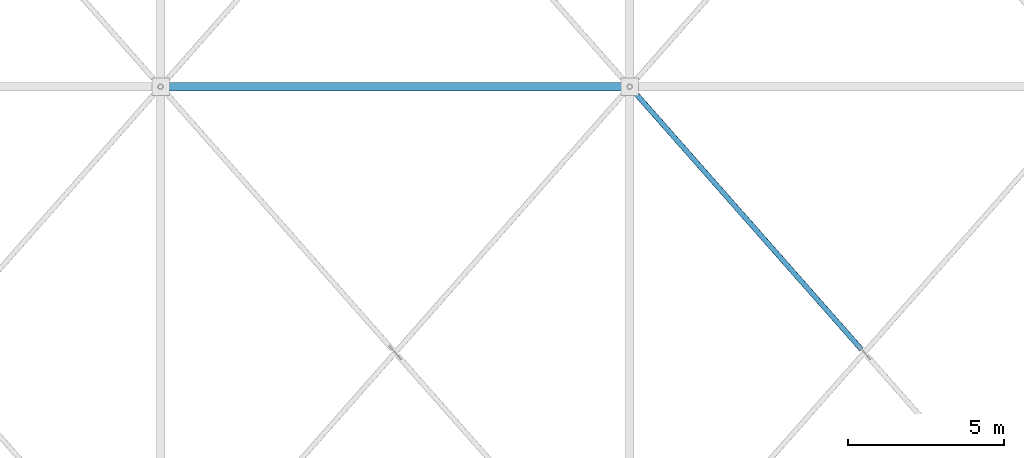
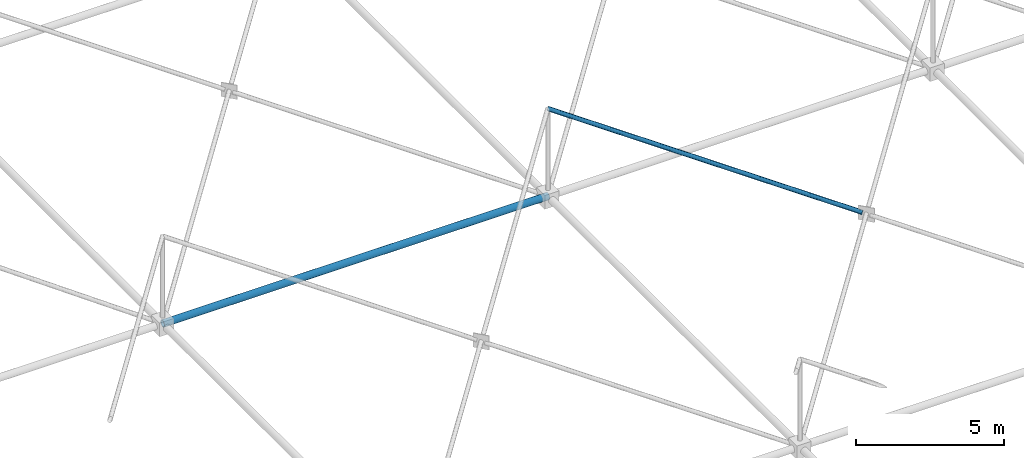
# One storey, part 77 of 224: 2 members.
"""IFC4 building model written with IfcOpenShell, lengths in metres."""

import ifcopenshell
import ifcopenshell.guid

model = None  # the IFC model being written
_history = None  # IfcOwnerHistory: only IFC2X3 demands one
_inside = {}  # id of a spatial element -> (the spatial element, [elements in it])
_under = {}  # id of a project, library or spatial element -> (it, [spatial elements below it])
_declared = {}  # id of a project -> (the project, [libraries it declares])
_typed = {}  # id of a type object -> (the type object, [elements of that type])
_made_of = {}  # id of a material, layer set ... -> (it, [elements and type objects made of it])


def new_model(schema):
    """Start an empty IFC model of exactly this schema.

    Asked for "IFC4X3", IfcOpenShell would pick the latest addendum, in which some entities
    have other attributes; the version numbers below select the first issue.
    IFC2X3 requires an IfcOwnerHistory on every rooted entity: one is made here for all.
    """
    global model, _history
    if schema == "IFC4X3":
        model = ifcopenshell.file(schema_version=(4, 3, 0, 0))
    else:
        model = ifcopenshell.file(schema=schema)
    _inside.clear()
    _under.clear()
    _declared.clear()
    _typed.clear()
    _made_of.clear()
    _history = None
    if model.schema == "IFC2X3":
        org = make("IfcOrganization", Name="unknown")
        user = make(
            "IfcPersonAndOrganization",
            ThePerson=make("IfcPerson", FamilyName="unknown"),
            TheOrganization=org,
        )
        app = make(
            "IfcApplication",
            ApplicationDeveloper=org,
            Version="unknown",
            ApplicationFullName="unknown",
            ApplicationIdentifier="unknown",
        )
        _history = make(
            "IfcOwnerHistory",
            OwningUser=user,
            OwningApplication=app,
            ChangeAction="ADDED",
            CreationDate=0,
        )
    return model


def make(cls, **values):
    """One entity of the class cls with the attributes given. An attribute that is None is left unset."""
    return model.create_entity(
        cls, **{name: value for name, value in values.items() if value is not None}
    )


def rooted(cls, **values):
    """An entity with a GlobalId (a new one), such as an element, a storey or a relation."""
    return make(cls, GlobalId=ifcopenshell.guid.new(), OwnerHistory=_history, **values)


def si_unit(unit_type, name, prefix=None):
    """IfcSIUnit, for example si_unit("LENGTHUNIT", "METRE", prefix="MILLI")."""
    return make("IfcSIUnit", UnitType=unit_type, Prefix=prefix, Name=name)


def assignment(units):
    """IfcUnitAssignment: the units of a project."""
    return None if units is None else make("IfcUnitAssignment", Units=units)


def point(xyz):
    """IfcCartesianPoint."""
    return None if xyz is None else make("IfcCartesianPoint", Coordinates=xyz)


def direction(xyz):
    """IfcDirection."""
    return None if xyz is None else make("IfcDirection", DirectionRatios=xyz)


def frame(location, z_axis=None, x_axis=None):
    """IfcAxis2Placement3D, a coordinate frame: its origin and axes. An axis left out is left unset."""
    return make(
        "IfcAxis2Placement3D",
        Location=point(location),
        Axis=direction(z_axis),
        RefDirection=direction(x_axis),
    )


def frame_2d(location, x_axis=None):
    """IfcAxis2Placement2D, a coordinate frame in the plane: its origin and x axis."""
    return make(
        "IfcAxis2Placement2D", Location=point(location), RefDirection=direction(x_axis)
    )


def origin():
    """The frame at (0, 0, 0) with its axes left unset."""
    return frame((0.0, 0.0, 0.0))


def origin_2d():
    """The frame at (0, 0) in the plane with its x axis left unset."""
    return frame_2d((0.0, 0.0))


def place(relative_to, where):
    """IfcLocalPlacement: puts the frame where relative to a parent placement (None: the world)."""
    return make(
        "IfcLocalPlacement", PlacementRelTo=relative_to, RelativePlacement=where
    )


def context(
    kind, dimensions, precision=None, world=None, true_north=None, identifier=None
):
    """IfcGeometricRepresentationContext, for example the 3D "Model" context."""
    return make(
        "IfcGeometricRepresentationContext",
        ContextIdentifier=identifier,
        ContextType=kind,
        CoordinateSpaceDimension=dimensions,
        Precision=precision,
        WorldCoordinateSystem=world,
        TrueNorth=true_north,
    )


def subcontext(parent, identifier, kind, view, scale=None):
    """IfcGeometricRepresentationSubContext, for example "Body" below "Model"."""
    return make(
        "IfcGeometricRepresentationSubContext",
        ContextIdentifier=identifier,
        ContextType=kind,
        ParentContext=parent,
        TargetScale=scale,
        TargetView=view,
    )


def project(units=None, contexts=None):
    """IfcProject with its units and contexts."""
    return rooted(
        "IfcProject",
        Name="project",
        RepresentationContexts=contexts,
        UnitsInContext=assignment(units),
    )


def spatial(cls, under=None, at=None, **own):
    """A site, building, storey or space (cls), placed at a placement, below another one or the project."""
    s = rooted(cls, ObjectPlacement=at, **own)
    if under is not None:
        _under.setdefault(under.id(), (under, []))[1].append(s)
    return s


def profile(cls, at=None, kind="AREA", **sizes):
    """A parametric profile (cls). Its sizes go by their IFC names, for example OverallWidth=200.0."""
    return make(cls, ProfileType=kind, Position=at, **sizes)


def hollow_circle(**sizes):
    """IfcCircleHollowProfileDef."""
    return profile("IfcCircleHollowProfileDef", **sizes)


def extrude(swept, where, along, depth):
    """IfcExtrudedAreaSolid: the profile swept, set in the frame where, extruded along a direction by depth."""
    return make(
        "IfcExtrudedAreaSolid",
        SweptArea=swept,
        Position=where,
        ExtrudedDirection=direction(along),
        Depth=depth,
    )


def shape(context_of_items, identifier, shape_type, items):
    """IfcShapeRepresentation: the items that make up one representation, for example the "Body"."""
    return make(
        "IfcShapeRepresentation",
        ContextOfItems=context_of_items,
        RepresentationIdentifier=identifier,
        RepresentationType=shape_type,
        Items=items,
    )


def material(Name=None, Category=None):
    """IfcMaterial."""
    return make("IfcMaterial", Name=Name, Category=Category)


def material_profile(
    of_material, cross_section, Name=None, Category=None, Priority=None
):
    """IfcMaterialProfile: a cross section and its material."""
    return make(
        "IfcMaterialProfile",
        Name=Name,
        Material=of_material,
        Profile=cross_section,
        Priority=Priority,
        Category=Category,
    )


def profile_set(profiles, Name=None, composite=None):
    """IfcMaterialProfileSet."""
    return make(
        "IfcMaterialProfileSet",
        Name=Name,
        MaterialProfiles=profiles,
        CompositeProfile=composite,
    )


def made_of(thing, what):
    """Note that an element or type object is made of a material, layer set ...; save() writes the relation."""
    if what is not None:
        _made_of.setdefault(what.id(), (what, []))[1].append(thing)
    return thing


def type_object(cls, material=None, **own):
    """A type object (cls), such as IfcWallType, which elements share."""
    return made_of(rooted(cls, **own), material)


def element(
    cls,
    number,
    at=None,
    inside=None,
    cuts=None,
    type_object=None,
    material=None,
    context=None,
    identifier="Body",
    shape_type=None,
    held_by="IfcProductDefinitionShape",
    body=None,
    shapes=None,
    **own,
):
    """One element of the class cls, such as IfcWall. Its Tag is "e" and its number.

    at: its placement. inside: the storey or other place that contains it. cuts: it is an
    opening in that element (IfcRelVoidsElement). A single representation is given by context,
    identifier, shape_type and body (its items); several are given by shapes. held_by: the class
    of the entity that holds the representations. save() writes the other relations.
    """
    e = rooted(cls, Tag="e%d" % number, ObjectPlacement=at, **own)
    if body is not None:
        shapes = [shape(context, identifier, shape_type, body)]
    if shapes is not None:
        e.Representation = make(held_by, Representations=shapes)
    if inside is not None:
        _inside.setdefault(inside.id(), (inside, []))[1].append(e)
    if cuts is not None:
        rooted(
            "IfcRelVoidsElement", RelatingBuildingElement=cuts, RelatedOpeningElement=e
        )
    if type_object is not None:
        _typed.setdefault(type_object.id(), (type_object, []))[1].append(e)
    return made_of(e, material)


def aggregate(whole, parts):
    """IfcRelAggregates: a whole, such as a stair, and the parts it consists of."""
    return rooted("IfcRelAggregates", RelatingObject=whole, RelatedObjects=parts)


def save(model, path):
    """Write the relations noted so far, then the file.

    IfcRelAggregates (storeys below a building ...), IfcRelContainedInSpatialStructure (elements
    in a storey), IfcRelDefinesByType, IfcRelAssociatesMaterial and IfcRelDeclares: one each for
    every whole, place, type object, material and project.
    """
    for whole, parts in _under.values():
        aggregate(whole, parts)
    for where, things in _inside.values():
        rooted(
            "IfcRelContainedInSpatialStructure",
            RelatedElements=things,
            RelatingStructure=where,
        )
    for kind, things in _typed.values():
        rooted("IfcRelDefinesByType", RelatedObjects=things, RelatingType=kind)
    for what, things in _made_of.values():
        rooted("IfcRelAssociatesMaterial", RelatedObjects=things, RelatingMaterial=what)
    for by, libraries in _declared.values():
        rooted("IfcRelDeclares", RelatingContext=by, RelatedDefinitions=libraries)
    model.write(path)


model = new_model("IFC4")

# Units and contexts
model_context = context("Model", 3, precision=1e-05, world=origin(), true_north=direction((0.0, 1.0)))
body_context = subcontext(model_context, "Body", "Model", "MODEL_VIEW")
ifc_project = project(units=[si_unit("LENGTHUNIT", "METRE"), si_unit("AREAUNIT", "SQUARE_METRE"), si_unit("VOLUMEUNIT", "CUBIC_METRE"), si_unit("PLANEANGLEUNIT", "RADIAN"), si_unit("MASSUNIT", "GRAM", prefix="KILO")], contexts=[model_context])

# Site, building, storey
site_placement = place(None, origin())
site = spatial("IfcSite", under=ifc_project, at=site_placement, CompositionType="ELEMENT")
building_placement = place(site_placement, origin())
building = spatial("IfcBuilding", under=site, at=building_placement, Name="Qamarlyn Nura Convention Centre", CompositionType="ELEMENT")
storey_placement = place(building_placement, frame((0.0, 0.0, 10.800048828125)))
storey = spatial("IfcBuildingStorey", under=building, at=storey_placement, Name="L02", CompositionType="ELEMENT", Elevation=10.800048828125)

# Members
ifc_material = material(Name="Pearl-white PVDF steel ASTM A500 Grade C", Category="steel")
ifc_material_profile_1 = material_profile(ifc_material, hollow_circle(Radius=0.136474609375, WallThickness=0.012451171875, at=origin_2d()), Name="CHS273X12.5")
ifc_profile_set_1 = profile_set([ifc_material_profile_1], Name="Pearl-white PVDF steel ASTM A500 Grade C")
member_type_1 = type_object("IfcMemberType", Name="SF-BC-MAIN", PredefinedType="CHORD", material=ifc_profile_set_1)
member_1_placement = place(storey_placement, frame((30.0, 69.0, 0.800048828125), z_axis=(1.0, 0.0, 0.0), x_axis=(0.0, 1.0, 0.0)))
element("IfcMember", 1, at=member_1_placement, inside=storey, type_object=member_type_1, Name="ROOF TRUSS space frame bottom chord X4-5", PredefinedType="CHORD", context=body_context, shape_type="SweptSolid", body=[
    extrude(hollow_circle(Radius=0.136474609375, WallThickness=0.012451171875, at=origin_2d()), origin(), (0.0, 0.0, 1.0), 15.0),
])
ifc_material_profile_2 = material_profile(ifc_material, hollow_circle(Radius=0.084228515625, WallThickness=0.008056640625, at=origin_2d()), Name="CHS168.3X8")
ifc_profile_set_2 = profile_set([ifc_material_profile_2], Name="Pearl-white PVDF steel ASTM A500 Grade C")
member_type_2 = type_object("IfcMemberType", Name="SF-WEB-STD", PredefinedType="BRACE", material=ifc_profile_set_2)
member_2_placement = place(storey_placement, frame((52.408447265625, 60.603759765625, 2.6220703125), z_axis=(-0.653436826791, 0.740561737029, 0.156807611557), x_axis=(-0.749837855365, -0.661621637087, 0.0)))
element("IfcMember", 2, at=member_2_placement, inside=storey, type_object=member_type_2, Name="ROOF TRUSS space frame split diagonal B2 5-4", PredefinedType="BRACE", context=body_context, shape_type="SweptSolid", body=[
    extrude(hollow_circle(Radius=0.084228515625, WallThickness=0.008056640625, at=origin_2d()), origin(), (0.0, 0.0, 1.0), 11.337646484375),
])

save(model, "model.ifc")
